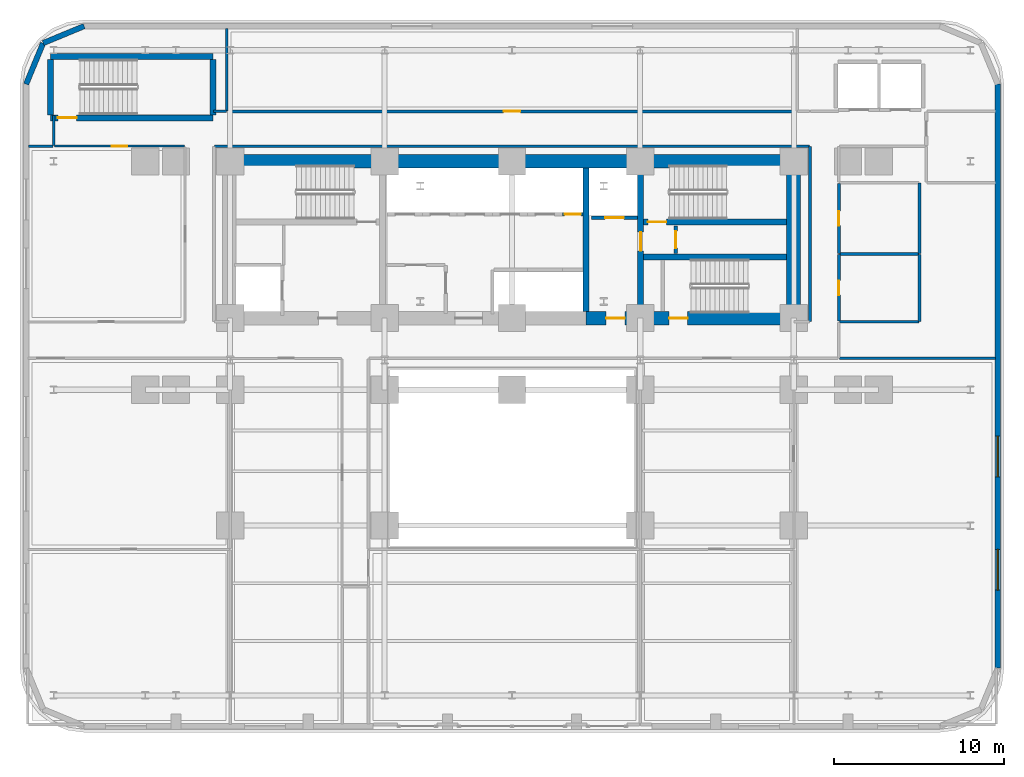
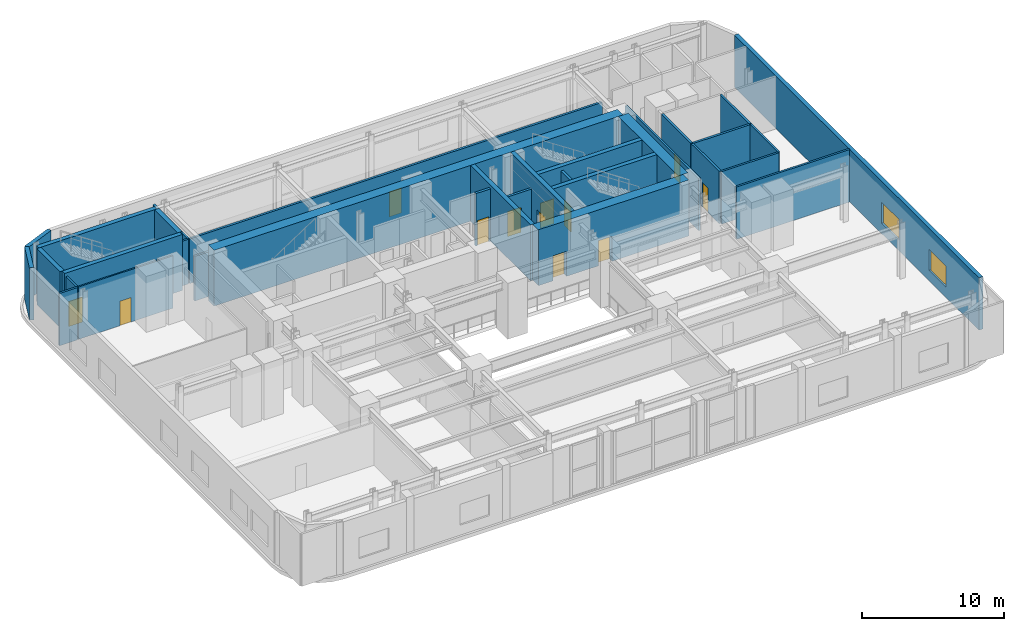
# One storey, part 8 of 16: 32 walls, 12 doors, 2 windows, 14 openings.
"""IFC4 building model written with IfcOpenShell, lengths in metres."""

from ifc_helpers import new_model, si_unit, direction, frame, frame_2d, origin, place, context, subcontext, project, spatial, rectangle, extrude, material, layer, layer_set, type_object, element, fill, save


model = new_model("IFC4")

# Units and contexts
model_context = context("Model", 3, precision=1e-05, world=origin(), true_north=direction((0.0, 1.0)))
body_context = subcontext(model_context, "Body", "Model", "MODEL_VIEW")
ifc_project = project(units=[si_unit("LENGTHUNIT", "METRE"), si_unit("AREAUNIT", "SQUARE_METRE"), si_unit("VOLUMEUNIT", "CUBIC_METRE"), si_unit("PLANEANGLEUNIT", "RADIAN"), si_unit("MASSUNIT", "GRAM", prefix="KILO")], contexts=[model_context])

# Site, building, storey
site_placement = place(None, origin())
site = spatial("IfcSite", under=ifc_project, at=site_placement, CompositionType="ELEMENT")
building_placement = place(site_placement, origin())
building = spatial("IfcBuilding", under=site, at=building_placement, Name="Zarnavel Station Tower", CompositionType="ELEMENT")
storey_placement = place(building_placement, frame((0.0, 0.0, 19.39990234375)))
storey = spatial("IfcBuildingStorey", under=building, at=storey_placement, Name="L05", CompositionType="ELEMENT", Elevation=19.39990234375)

# Wall
ifc_material_1 = material(Name="Concrete C50/60", Category="concrete")
ifc_layer_1 = layer(ifc_material_1, 0.35009765625)
ifc_layer_set_1 = layer_set([ifc_layer_1], Name="CW_350")
wall_type_1 = type_object("IfcWallType", Name="CW_350", PredefinedType="SHEAR", material=ifc_layer_set_1)
wall_1_placement = place(storey_placement, frame((33.14990234375, 28.219970703125, 0.0), z_axis=(0.0, 0.0, 1.0), x_axis=(0.0, 1.0, 0.0)))
element("IfcWall", 1, at=wall_1_placement, inside=storey, type_object=wall_type_1, Name="L05 Rear Core Shear Wall DIV-E", PredefinedType="SHEAR", context=body_context, shape_type="SweptSolid", body=[
    extrude(rectangle(XDim=8.429931640625, YDim=0.35009765625, at=frame_2d((4.21484375, 0.0))), origin(), (0.0, 0.0, 1.0), 4.800048828125),
])

# Wall, opening, door
wall_2_placement = place(storey_placement, frame((36.3798828125, 28.219970703125, 0.0), z_axis=(0.0, 0.0, 1.0), x_axis=(0.0, 1.0, 0.0)))
wall_2 = element("IfcWall", 2, at=wall_2_placement, inside=storey, type_object=wall_type_1, Name="L05 Rear Core Shear Wall DIV-S2", PredefinedType="SHEAR", context=body_context, shape_type="SweptSolid", body=[
    extrude(rectangle(XDim=8.429931640625, YDim=0.35009765625, at=frame_2d((4.21484375, 0.0))), origin(), (0.0, 0.0, 1.0), 4.800048828125),
])
opening_1_placement = place(wall_2_placement, frame((3.56005859375, 0.0, 0.0)))
opening_1 = element("IfcOpeningElement", 3, at=opening_1_placement, cuts=wall_2, Name="Opening FD01", PredefinedType="OPENING", context=body_context, shape_type="SweptSolid", body=[
    extrude(rectangle(XDim=1.10009765625, YDim=2.14990234375, at=frame_2d((0.550048828125, 1.074951171875))), frame((0.0, 0.18505859375, 0.0), z_axis=(0.0, -1.0, 0.0), x_axis=(1.0, 0.0, 0.0)), (0.0, 0.0, 1.0), 0.3701171875),
])
ifc_material_2 = material(Name="Painted Galvanised Steel and Hardwood Leaf", Category="steel")
door_type_1 = type_object("IfcDoorType", Name="ID_STAIR_1100", OperationType="NOTDEFINED", PredefinedType="DOOR", material=ifc_material_2)
door_1_placement = place(opening_1_placement, origin())
door_1 = element("IfcDoor", 4, at=door_1_placement, inside=storey, type_object=door_type_1, Name="L05 East Stair Vestibule Fire Door", OperationType="SINGLE_SWING_LEFT", OverallHeight=2.14990234375, OverallWidth=1.10009765625, PredefinedType="DOOR", context=body_context, shape_type="SweptSolid", body=[
    extrude(rectangle(XDim=1.10009765625, YDim=2.14990234375, at=frame_2d((0.550048828125, 1.074951171875))), frame((0.0, 0.02490234375, 0.0), z_axis=(0.0, -1.0, 0.0), x_axis=(1.0, 0.0, 0.0)), (0.0, 0.0, 1.0), 0.050048828125),
])
fill(opening_1, door_1)

wall_3_placement = place(storey_placement, frame((44.97998046875, 33.47998046875, 0.0), z_axis=(0.0, 0.0, 1.0), x_axis=(-1.0, 0.0, 0.0)))
wall_3 = element("IfcWall", 5, at=wall_3_placement, inside=storey, type_object=wall_type_1, Name="L05 Rear Core Shear Wall DIV-H2", PredefinedType="SHEAR", context=body_context, shape_type="SweptSolid", body=[
    extrude(rectangle(XDim=8.425048828125, YDim=0.35009765625, at=frame_2d((4.21240234375, 0.0))), origin(), (0.0, 0.0, 1.0), 4.800048828125),
])
opening_2_placement = place(wall_3_placement, frame((7.080078125, 0.0, 0.0)))
opening_2 = element("IfcOpeningElement", 6, at=opening_2_placement, cuts=wall_3, Name="Opening FD01", PredefinedType="OPENING", context=body_context, shape_type="SweptSolid", body=[
    extrude(rectangle(XDim=1.10009765625, YDim=2.14990234375, at=frame_2d((0.550048828125, 1.074951171875))), frame((0.0, 0.18505859375, 0.0), z_axis=(0.0, -1.0, 0.0), x_axis=(1.0, 0.0, 0.0)), (0.0, 0.0, 1.0), 0.3701171875),
])
door_2_placement = place(opening_2_placement, origin())
door_2 = element("IfcDoor", 7, at=door_2_placement, inside=storey, type_object=door_type_1, Name="L05 Stair ST2 Lobby Fire Door", OperationType="SINGLE_SWING_RIGHT", OverallHeight=2.14990234375, OverallWidth=1.10009765625, PredefinedType="DOOR", context=body_context, shape_type="SweptSolid", body=[
    extrude(rectangle(XDim=1.10009765625, YDim=2.14990234375, at=frame_2d((0.550048828125, 1.074951171875))), frame((0.0, 0.02490234375, 0.0), z_axis=(0.0, -1.0, 0.0), x_axis=(1.0, 0.0, 0.0)), (0.0, 0.0, 1.0), 0.050048828125),
])
fill(opening_2, door_2)

# Walls
wall_4_placement = place(storey_placement, frame((36.554931640625, 31.419921875, 0.0), z_axis=(0.0, 0.0, 1.0), x_axis=(1.0, 0.0, 0.0)))
element("IfcWall", 8, at=wall_4_placement, inside=storey, type_object=wall_type_1, Name="L05 Rear Core Shear Wall DIV-H3", PredefinedType="SHEAR", context=body_context, shape_type="SweptSolid", body=[
    extrude(rectangle(XDim=8.425048828125, YDim=0.35009765625, at=frame_2d((4.21240234375, 0.0))), origin(), (0.0, 0.0, 1.0), 4.800048828125),
])
wall_5_placement = place(storey_placement, frame((1.6201171875, 43.239990234375, 0.0), z_axis=(0.0, 0.0, 1.0), x_axis=(1.0, 0.0, 0.0)))
element("IfcWall", 9, at=wall_5_placement, inside=storey, type_object=wall_type_1, Name="L05 Rear Core Shear Wall ST4-N", PredefinedType="SHEAR", context=body_context, shape_type="SweptSolid", body=[
    extrude(rectangle(XDim=9.559814453125, YDim=0.35009765625, at=frame_2d((4.77978515625, 0.0))), origin(), (0.0, 0.0, 1.0), 4.800048828125),
])

# Wall, opening, door
wall_6_placement = place(storey_placement, frame((11.179931640625, 39.6201171875, 0.0), z_axis=(0.0, 0.0, 1.0), x_axis=(-1.0, 0.0, 0.0)))
wall_6 = element("IfcWall", 10, at=wall_6_placement, inside=storey, type_object=wall_type_1, Name="L05 Rear Core Shear Wall ST4-S", PredefinedType="SHEAR", context=body_context, shape_type="SweptSolid", body=[
    extrude(rectangle(XDim=9.559814453125, YDim=0.35009765625, at=frame_2d((4.77978515625, 0.0))), origin(), (0.0, 0.0, 1.0), 4.800048828125),
])
opening_3_placement = place(wall_6_placement, frame((8.030029296875, 0.0, 0.0)))
opening_3 = element("IfcOpeningElement", 11, at=opening_3_placement, cuts=wall_6, Name="Opening FD01", PredefinedType="OPENING", context=body_context, shape_type="SweptSolid", body=[
    extrude(rectangle(XDim=1.10009765625, YDim=2.14990234375, at=frame_2d((0.550048828125, 1.074951171875))), frame((0.0, 0.18505859375, 0.0), z_axis=(0.0, -1.0, 0.0), x_axis=(1.0, 0.0, 0.0)), (0.0, 0.0, 1.0), 0.3701171875),
])
door_3_placement = place(opening_3_placement, origin())
door_3 = element("IfcDoor", 12, at=door_3_placement, inside=storey, type_object=door_type_1, Name="L05 Podium Stair ST4 Fire Door", OperationType="SINGLE_SWING_RIGHT", OverallHeight=2.14990234375, OverallWidth=1.10009765625, PredefinedType="DOOR", context=body_context, shape_type="SweptSolid", body=[
    extrude(rectangle(XDim=1.10009765625, YDim=2.14990234375, at=frame_2d((0.550048828125, 1.074951171875))), frame((0.0, 0.02490234375, 0.0), z_axis=(0.0, -1.0, 0.0), x_axis=(1.0, 0.0, 0.0)), (0.0, 0.0, 1.0), 0.050048828125),
])
fill(opening_3, door_3)

# Walls
for number, where, z_axis, x_axis, name in (
    (13, (1.6201171875, 39.794921875, 0.0), (0.0, 0.0, 1.0), (0.0, 1.0, 0.0), "L05 Rear Core Shear Wall ST4-W"),
    (14, (11.179931640625, 39.794921875, 0.0), (0.0, 0.0, 1.0), (0.0, 1.0, 0.0), "L05 Rear Core Shear Wall ST4-E"),
):
    element("IfcWall", number, at=place(storey_placement, frame(where, z_axis=z_axis, x_axis=x_axis)), inside=storey, type_object=wall_type_1, Name=name, PredefinedType="SHEAR", context=body_context, shape_type="SweptSolid", body=[
        extrude(rectangle(XDim=3.27001953125, YDim=0.35009765625, at=frame_2d((1.635009765625, 0.0))), origin(), (0.0, 0.0, 1.0), 4.800048828125),
    ])
ifc_material_3 = material(Name="Concrete C60/75", Category="concrete")
ifc_layer_2 = layer(ifc_material_3, 0.800048828125)
ifc_layer_set_2 = layer_set([ifc_layer_2], Name="CW_800")
wall_type_2 = type_object("IfcWallType", Name="CW_800", PredefinedType="SHEAR", material=ifc_layer_set_2)
wall_7_placement = place(storey_placement, frame((12.14990234375, 37.050048828125, 0.0), z_axis=(0.0, 0.0, 1.0), x_axis=(1.0, 0.0, 0.0)))
element("IfcWall", 15, at=wall_7_placement, inside=storey, type_object=wall_type_2, Name="L05 Rear Core Shear Wall N", PredefinedType="SHEAR", context=body_context, shape_type="SweptSolid", body=[
    extrude(rectangle(XDim=33.22998046875, YDim=0.800048828125, at=frame_2d((16.614990234375, 0.0))), origin(), (0.0, 0.0, 1.0), 4.800048828125),
])

# Wall, openings, doors
wall_8_placement = place(storey_placement, frame((45.3798828125, 27.820068359375, 0.0), z_axis=(0.0, 0.0, 1.0), x_axis=(-1.0, 0.0, 0.0)))
wall_8 = element("IfcWall", 16, at=wall_8_placement, inside=storey, type_object=wall_type_2, Name="L05 Rear Core Shear Wall S-E", PredefinedType="SHEAR", context=body_context, shape_type="SweptSolid", body=[
    extrude(rectangle(XDim=12.22998046875, YDim=0.800048828125, at=frame_2d((6.114990234375, 0.0))), origin(), (0.0, 0.0, 1.0), 4.800048828125),
])
opening_4_placement = place(wall_8_placement, frame((9.929931640625, 0.0, 0.0)))
opening_4 = element("IfcOpeningElement", 17, at=opening_4_placement, cuts=wall_8, Name="Opening FD01", PredefinedType="OPENING", context=body_context, shape_type="SweptSolid", body=[
    extrude(rectangle(XDim=1.10009765625, YDim=2.14990234375, at=frame_2d((0.550048828125, 1.074951171875))), frame((0.0, 0.409912109375, 0.0), z_axis=(0.0, -1.0, 0.0), x_axis=(1.0, 0.0, 0.0)), (0.0, 0.0, 1.0), 0.820068359375),
])
opening_5_placement = place(wall_8_placement, frame((6.22998046875, 0.0, 0.0)))
opening_5 = element("IfcOpeningElement", 18, at=opening_5_placement, cuts=wall_8, Name="Opening FD01", PredefinedType="OPENING", context=body_context, shape_type="SweptSolid", body=[
    extrude(rectangle(XDim=1.10009765625, YDim=2.14990234375, at=frame_2d((0.550048828125, 1.074951171875))), frame((0.0, 0.409912109375, 0.0), z_axis=(0.0, -1.0, 0.0), x_axis=(1.0, 0.0, 0.0)), (0.0, 0.0, 1.0), 0.820068359375),
])
door_4_placement = place(opening_4_placement, origin())
door_4 = element("IfcDoor", 19, at=door_4_placement, inside=storey, type_object=door_type_1, Name="L05 East Firefighting Lobby Door", OperationType="SINGLE_SWING_LEFT", OverallHeight=2.14990234375, OverallWidth=1.10009765625, PredefinedType="DOOR", context=body_context, shape_type="SweptSolid", body=[
    extrude(rectangle(XDim=1.10009765625, YDim=2.14990234375, at=frame_2d((0.550048828125, 1.074951171875))), frame((0.0, 0.02490234375, 0.0), z_axis=(0.0, -1.0, 0.0), x_axis=(1.0, 0.0, 0.0)), (0.0, 0.0, 1.0), 0.050048828125),
])
fill(opening_4, door_4)
door_5_placement = place(opening_5_placement, origin())
door_5 = element("IfcDoor", 20, at=door_5_placement, inside=storey, type_object=door_type_1, Name="L05 Stair ST3 Corridor Fire Door", OperationType="SINGLE_SWING_RIGHT", OverallHeight=2.14990234375, OverallWidth=1.10009765625, PredefinedType="DOOR", context=body_context, shape_type="SweptSolid", body=[
    extrude(rectangle(XDim=1.10009765625, YDim=2.14990234375, at=frame_2d((0.550048828125, 1.074951171875))), frame((0.0, 0.02490234375, 0.0), z_axis=(0.0, -1.0, 0.0), x_axis=(1.0, 0.0, 0.0)), (0.0, 0.0, 1.0), 0.050048828125),
])
fill(opening_5, door_5)

# Wall
wall_9_placement = place(storey_placement, frame((45.3798828125, 28.219970703125, 0.0), z_axis=(0.0, 0.0, 1.0), x_axis=(0.0, 1.0, 0.0)))
element("IfcWall", 21, at=wall_9_placement, inside=storey, type_object=wall_type_2, Name="L05 Rear Core Shear Wall E", PredefinedType="SHEAR", context=body_context, shape_type="SweptSolid", body=[
    extrude(rectangle(XDim=8.429931640625, YDim=0.800048828125, at=frame_2d((4.21484375, 0.0))), origin(), (0.0, 0.0, 1.0), 4.800048828125),
])

# Wall, openings, windows
ifc_material_4 = material(Name="Precast concrete C45/55 (Podium Basalt Frame)", Category="masonry")
ifc_layer_3 = layer(ifc_material_4, 0.320068359375)
ifc_layer_set_3 = layer_set([ifc_layer_3], Name="EW_BASALT_320")
wall_type_3 = type_object("IfcWallType", Name="EW_BASALT_320", PredefinedType="SOLIDWALL", material=ifc_layer_set_3)
wall_10_placement = place(storey_placement, frame((57.419921875, 41.60009765625, 0.0), z_axis=(0.0, 0.0, 1.0), x_axis=(0.0, -1.0, 0.0)))
wall_10 = element("IfcWall", 22, at=wall_10_placement, inside=storey, type_object=wall_type_3, Name="L05 Exterior Basalt Masonry Frame Wall 03", PredefinedType="SOLIDWALL", context=body_context, shape_type="SweptSolid", body=[
    extrude(rectangle(XDim=34.400146484375, YDim=0.320068359375, at=frame_2d((17.2001953125, 0.0))), origin(), (0.0, 0.0, 1.0), 4.5),
])
opening_6_placement = place(wall_10_placement, frame((20.726806640625, 0.0, 0.89990234375)))
opening_6 = element("IfcOpeningElement", 23, at=opening_6_placement, cuts=wall_10, Name="Opening WN03", PredefinedType="OPENING", context=body_context, shape_type="SweptSolid", body=[
    extrude(rectangle(XDim=2.39990234375, YDim=1.800048828125, at=frame_2d((1.199951171875, 0.89990234375))), frame((0.0, 0.169921875, 0.0), z_axis=(0.0, -1.0, 0.0), x_axis=(1.0, 0.0, 0.0)), (0.0, 0.0, 1.0), 0.340087890625),
])
opening_7_placement = place(wall_10_placement, frame((27.4033203125, 0.0, 0.89990234375)))
opening_7 = element("IfcOpeningElement", 24, at=opening_7_placement, cuts=wall_10, Name="Opening WN03", PredefinedType="OPENING", context=body_context, shape_type="SweptSolid", body=[
    extrude(rectangle(XDim=2.39990234375, YDim=1.800048828125, at=frame_2d((1.199951171875, 0.89990234375))), frame((0.0, 0.169921875, 0.0), z_axis=(0.0, -1.0, 0.0), x_axis=(1.0, 0.0, 0.0)), (0.0, 0.0, 1.0), 0.340087890625),
])
ifc_material_5 = material(Name="Thermally Broken Black Aluminium and Low-E Dark Glass", Category="aluminium")
window_type = type_object("IfcWindowType", Name="WN_2400x1800", PartitioningType="TRIPLE_PANEL_VERTICAL", PredefinedType="WINDOW", material=ifc_material_5)
window_1_placement = place(opening_6_placement, origin())
window_1 = element("IfcWindow", 25, at=window_1_placement, inside=storey, type_object=window_type, Name="L05 Recessed Facade Window 01", OverallHeight=1.800048828125, OverallWidth=2.39990234375, PartitioningType="SINGLE_PANEL", PredefinedType="WINDOW", context=body_context, shape_type="SweptSolid", body=[
    extrude(rectangle(XDim=2.39990234375, YDim=1.800048828125, at=frame_2d((1.199951171875, 0.89990234375))), frame((0.0, 0.030029296875, 0.0), z_axis=(0.0, -1.0, 0.0), x_axis=(1.0, 0.0, 0.0)), (0.0, 0.0, 1.0), 0.06005859375),
])
fill(opening_6, window_1)
window_2_placement = place(opening_7_placement, origin())
window_2 = element("IfcWindow", 26, at=window_2_placement, inside=storey, type_object=window_type, Name="L05 Recessed Facade Window 02", OverallHeight=1.800048828125, OverallWidth=2.39990234375, PartitioningType="SINGLE_PANEL", PredefinedType="WINDOW", context=body_context, shape_type="SweptSolid", body=[
    extrude(rectangle(XDim=2.39990234375, YDim=1.800048828125, at=frame_2d((1.199951171875, 0.89990234375))), frame((0.0, 0.030029296875, 0.0), z_axis=(0.0, -1.0, 0.0), x_axis=(1.0, 0.0, 0.0)), (0.0, 0.0, 1.0), 0.06005859375),
])
fill(opening_7, window_2)

# Walls
wall_11_placement = place(storey_placement, frame((1.181640625, 44.018310546875, 0.0), z_axis=(0.0, 0.0, 1.0), x_axis=(0.923886112352, 0.382667546838, 0.0)))
element("IfcWall", 27, at=wall_11_placement, inside=storey, type_object=wall_type_3, Name="L05 Exterior Basalt Masonry Frame Wall 07", PredefinedType="SOLIDWALL", context=body_context, shape_type="SweptSolid", body=[
    extrude(rectangle(XDim=2.61767578125, YDim=0.320068359375, at=frame_2d((1.308837890625, 0.0))), origin(), (0.0, 0.0, 1.0), 4.5),
])
wall_12_placement = place(storey_placement, frame((0.179931640625, 41.60009765625, 0.0), z_axis=(0.0, 0.0, 1.0), x_axis=(0.382700522567, 0.923872453333, 0.0)))
element("IfcWall", 28, at=wall_12_placement, inside=storey, type_object=wall_type_3, Name="L05 Exterior Basalt Masonry Frame Wall 08", PredefinedType="SOLIDWALL", context=body_context, shape_type="SweptSolid", body=[
    extrude(rectangle(XDim=2.617431640625, YDim=0.320068359375, at=frame_2d((1.30859375, 0.0))), origin(), (0.0, 0.0, 1.0), 4.5),
])
ifc_material_6 = material(Name="Gypsum Twin-Stud Acoustic Fire Partition", Category="concrete")
ifc_layer_4 = layer(ifc_material_6, 0.159912109375)
ifc_layer_set_4 = layer_set([ifc_layer_4], Name="PT_DEMISE_160")
wall_type_4 = type_object("IfcWallType", Name="PT_DEMISE_160", PredefinedType="PARTITIONING", material=ifc_layer_set_4)
wall_13_placement = place(storey_placement, frame((46.35009765625, 27.6298828125, 0.0), z_axis=(0.0, 0.0, 1.0), x_axis=(0.0, 1.0, 0.0)))
element("IfcWall", 29, at=wall_13_placement, inside=storey, type_object=wall_type_4, Name="L05 Enclosure Wall PCOR-E", PredefinedType="PARTITIONING", context=body_context, shape_type="SweptSolid", body=[
    extrude(rectangle(XDim=10.2900390625, YDim=0.159912109375, at=frame_2d((5.14501953125, 0.0))), origin(), (0.0, 0.0, 1.0), 4.5),
])
wall_14_placement = place(storey_placement, frame((11.280029296875, 37.949951171875, 0.0), z_axis=(0.0, 0.0, 1.0), x_axis=(1.0, 0.0, 0.0)))
element("IfcWall", 30, at=wall_14_placement, inside=storey, type_object=wall_type_4, Name="L05 Enclosure Wall PCOR-N", PredefinedType="PARTITIONING", context=body_context, shape_type="SweptSolid", body=[
    extrude(rectangle(XDim=35.0400390625, YDim=0.159912109375, at=frame_2d((17.52001953125, 0.0))), origin(), (0.0, 0.0, 1.0), 3.830078125),
])
wall_15_placement = place(storey_placement, frame((11.2099609375, 40.0, 0.0), z_axis=(0.0, 0.0, 1.0), x_axis=(1.0, 0.0, 0.0)))
element("IfcWall", 31, at=wall_15_placement, inside=storey, type_object=wall_type_4, Name="L05 Enclosure Wall PCOR-N", PredefinedType="PARTITIONING", context=body_context, shape_type="SweptSolid", body=[
    extrude(rectangle(XDim=0.760009765625, YDim=0.159912109375, at=frame_2d((0.3798828125, 0.0))), origin(), (0.0, 0.0, 1.0), 3.830078125),
])
wall_16_placement = place(storey_placement, frame((1.800048828125, 37.97998046875, 0.0), z_axis=(0.0, 0.0, 1.0), x_axis=(0.0, 1.0, 0.0)))
element("IfcWall", 32, at=wall_16_placement, inside=storey, type_object=wall_type_4, Name="L05 Enclosure Wall PCOR-N", PredefinedType="PARTITIONING", context=body_context, shape_type="SweptSolid", body=[
    extrude(rectangle(XDim=1.784912109375, YDim=0.159912109375, at=frame_2d((0.892578125, 0.0))), origin(), (0.0, 0.0, 1.0), 4.5),
])
wall_17_placement = place(storey_placement, frame((0.31005859375, 37.949951171875, 0.0), z_axis=(0.0, 0.0, 1.0), x_axis=(1.0, 0.0, 0.0)))
element("IfcWall", 33, at=wall_17_placement, inside=storey, type_object=wall_type_4, Name="L05 Enclosure Wall PNW", PredefinedType="PARTITIONING", context=body_context, shape_type="SweptSolid", body=[
    extrude(rectangle(XDim=1.4599609375, YDim=0.159912109375, at=frame_2d((0.72998046875, 0.0))), origin(), (0.0, 0.0, 1.0), 4.5),
])
wall_18_placement = place(storey_placement, frame((48.080078125, 27.60009765625, 0.0), z_axis=(0.0, 0.0, 1.0), x_axis=(1.0, 0.0, 0.0)))
element("IfcWall", 34, at=wall_18_placement, inside=storey, type_object=wall_type_4, Name="L05 Enclosure Wall PWC-M", PredefinedType="PARTITIONING", context=body_context, shape_type="SweptSolid", body=[
    extrude(rectangle(XDim=4.68994140625, YDim=0.159912109375, at=frame_2d((2.344970703125, 0.0))), origin(), (0.0, 0.0, 1.0), 4.5),
])
wall_19_placement = place(storey_placement, frame((52.800048828125, 27.6298828125, 0.0), z_axis=(0.0, 0.0, 1.0), x_axis=(0.0, 1.0, 0.0)))
element("IfcWall", 35, at=wall_19_placement, inside=storey, type_object=wall_type_4, Name="L05 Enclosure Wall PWC-M", PredefinedType="PARTITIONING", context=body_context, shape_type="SweptSolid", body=[
    extrude(rectangle(XDim=3.940185546875, YDim=0.159912109375, at=frame_2d((1.97021484375, 0.0))), origin(), (0.0, 0.0, 1.0), 4.5),
])
wall_20_placement = place(storey_placement, frame((52.800048828125, 31.6298828125, 0.0), z_axis=(0.0, 0.0, 1.0), x_axis=(0.0, 1.0, 0.0)))
element("IfcWall", 36, at=wall_20_placement, inside=storey, type_object=wall_type_4, Name="L05 Enclosure Wall PWC-F", PredefinedType="PARTITIONING", context=body_context, shape_type="SweptSolid", body=[
    extrude(rectangle(XDim=4.14013671875, YDim=0.159912109375, at=frame_2d((2.070068359375, 0.0))), origin(), (0.0, 0.0, 1.0), 4.5),
])
wall_21_placement = place(storey_placement, frame((48.080078125, 25.449951171875, 0.0), z_axis=(0.0, 0.0, 1.0), x_axis=(1.0, 0.0, 0.0)))
element("IfcWall", 37, at=wall_21_placement, inside=storey, type_object=wall_type_4, Name="L05 Enclosure Wall CONF3", PredefinedType="PARTITIONING", context=body_context, shape_type="SweptSolid", body=[
    extrude(rectangle(XDim=9.2099609375, YDim=0.159912109375, at=frame_2d((4.60498046875, 0.0))), origin(), (0.0, 0.0, 1.0), 4.5),
])
wall_22_placement = place(storey_placement, frame((12.0, 40.030029296875, 0.0), z_axis=(0.0, 0.0, 1.0), x_axis=(0.0, 1.0, 0.0)))
element("IfcWall", 38, at=wall_22_placement, inside=storey, type_object=wall_type_4, Name="L05 Enclosure Wall BQK", PredefinedType="PARTITIONING", context=body_context, shape_type="SweptSolid", body=[
    extrude(rectangle(XDim=4.85986328125, YDim=0.159912109375, at=frame_2d((2.429931640625, 0.0))), origin(), (0.0, 0.0, 1.0), 3.830078125),
])

# Wall, opening, door
ifc_material_7 = material(Name="Gypsum Metal-Stud Interior Partition", Category="concrete")
ifc_layer_5 = layer(ifc_material_7, 0.1201171875)
ifc_layer_set_5 = layer_set([ifc_layer_5], Name="PT_ROOM_120")
wall_type_5 = type_object("IfcWallType", Name="PT_ROOM_120", PredefinedType="PARTITIONING", material=ifc_layer_set_5)
wall_23_placement = place(storey_placement, frame((1.840087890625, 37.949951171875, 0.0), z_axis=(0.0, 0.0, 1.0), x_axis=(1.0, 0.0, 0.0)))
wall_23 = element("IfcWall", 39, at=wall_23_placement, inside=storey, type_object=wall_type_5, Name="L05 Partition PCOR-N-PNW", PredefinedType="PARTITIONING", context=body_context, shape_type="SweptSolid", body=[
    extrude(rectangle(XDim=7.669921875, YDim=0.1201171875, at=frame_2d((3.8349609375, 0.0))), origin(), (0.0, 0.0, 1.0), 4.5),
])
opening_8_placement = place(wall_23_placement, frame((3.385009765625, 0.0, 0.0)))
opening_8 = element("IfcOpeningElement", 40, at=opening_8_placement, cuts=wall_23, Name="Opening ID01", PredefinedType="OPENING", context=body_context, shape_type="SweptSolid", body=[
    extrude(rectangle(XDim=0.89990234375, YDim=2.10009765625, at=frame_2d((0.449951171875, 1.050048828125))), frame((0.0, 0.070068359375, 0.0), z_axis=(0.0, -1.0, 0.0), x_axis=(1.0, 0.0, 0.0)), (0.0, 0.0, 1.0), 0.14013671875),
])
ifc_material_8 = material(Name="Painted Galvanised Steel and Hardwood Leaf", Category="steel")
door_type_2 = type_object("IfcDoorType", Name="ID_ROOM_900", OperationType="NOTDEFINED", PredefinedType="DOOR", material=ifc_material_8)
door_6_placement = place(opening_8_placement, origin())
door_6 = element("IfcDoor", 41, at=door_6_placement, inside=storey, type_object=door_type_2, Name="L05 Door PCOR-N-PNW", OperationType="SINGLE_SWING_RIGHT", OverallHeight=2.10009765625, OverallWidth=0.89990234375, PredefinedType="DOOR", context=body_context, shape_type="SweptSolid", body=[
    extrude(rectangle(XDim=0.89990234375, YDim=2.10009765625, at=frame_2d((0.449951171875, 1.050048828125))), frame((0.0, 0.02490234375, 0.0), z_axis=(0.0, -1.0, 0.0), x_axis=(1.0, 0.0, 0.0)), (0.0, 0.0, 1.0), 0.050048828125),
])
fill(opening_8, door_6)

ifc_material_9 = material(Name="Precast concrete C45/55 (Fire Shaft Blockwork)", Category="masonry")
ifc_layer_6 = layer(ifc_material_9, 0.199951171875)
ifc_layer_set_6 = layer_set([ifc_layer_6], Name="PT_SHAFT_200")
wall_type_6 = type_object("IfcWallType", Name="PT_SHAFT_200", PredefinedType="PARTITIONING", material=ifc_layer_set_6)
wall_24_placement = place(storey_placement, frame((33.47509765625, 33.72998046875, 0.0), z_axis=(0.0, 0.0, 1.0), x_axis=(1.0, 0.0, 0.0)))
wall_24 = element("IfcWall", 42, at=wall_24_placement, inside=storey, type_object=wall_type_6, Name="L05 Lift FFL-02 Shaft Front Wall", PredefinedType="PARTITIONING", context=body_context, shape_type="SweptSolid", body=[
    extrude(rectangle(XDim=2.724853515625, YDim=0.199951171875, at=frame_2d((1.3623046875, 0.0))), origin(), (0.0, 0.0, 1.0), 3.47216796875),
])
opening_9_placement = place(wall_24_placement, frame((0.8125, 0.0, 0.0)))
opening_9 = element("IfcOpeningElement", 43, at=opening_9_placement, cuts=wall_24, Name="Opening LD01", PredefinedType="OPENING", context=body_context, shape_type="SweptSolid", body=[
    extrude(rectangle(XDim=1.10009765625, YDim=2.14990234375, at=frame_2d((0.550048828125, 1.074951171875))), frame((0.0, 0.10986328125, 0.0), z_axis=(0.0, -1.0, 0.0), x_axis=(1.0, 0.0, 0.0)), (0.0, 0.0, 1.0), 0.219970703125),
])
ifc_material_10 = material(Name="Painted Galvanised Steel and Hardwood Leaf", Category="steel")
door_type_3 = type_object("IfcDoorType", Name="LD_FF_1100", OperationType="DOUBLE_DOOR_SLIDING", PredefinedType="DOOR", material=ifc_material_10)
door_7_placement = place(opening_9_placement, origin())
door_7 = element("IfcDoor", 44, at=door_7_placement, inside=storey, type_object=door_type_3, Name="L05 Lift FFL-02 Sliding Landing Door", OperationType="DOUBLE_DOOR_SLIDING", OverallHeight=2.14990234375, OverallWidth=1.10009765625, PredefinedType="DOOR", context=body_context, shape_type="SweptSolid", body=[
    extrude(rectangle(XDim=1.10009765625, YDim=2.14990234375, at=frame_2d((0.550048828125, 1.074951171875))), frame((0.0, 0.02490234375, 0.0), z_axis=(0.0, -1.0, 0.0), x_axis=(1.0, 0.0, 0.0)), (0.0, 0.0, 1.0), 0.050048828125),
])
fill(opening_9, door_7)

wall_25_placement = place(storey_placement, frame((31.77490234375, 33.929931640625, 0.0), z_axis=(0.0, 0.0, 1.0), x_axis=(1.0, 0.0, 0.0)))
wall_25 = element("IfcWall", 45, at=wall_25_placement, inside=storey, type_object=wall_type_6, Name="L05 Lift PL-M3 Shaft Front Wall", PredefinedType="PARTITIONING", context=body_context, shape_type="SweptSolid", body=[
    extrude(rectangle(XDim=1.2001953125, YDim=0.199951171875, at=frame_2d((0.60009765625, 0.0))), origin(), (0.0, 0.0, 1.0), 4.5),
])
opening_10_placement = place(wall_25_placement, frame((0.125, 0.0, 0.0)))
opening_10 = element("IfcOpeningElement", 46, at=opening_10_placement, cuts=wall_25, Name="Opening LD03", PredefinedType="OPENING", context=body_context, shape_type="SweptSolid", body=[
    extrude(rectangle(XDim=0.949951171875, YDim=2.14990234375, at=frame_2d((0.47509765625, 1.074951171875))), frame((0.0, 0.10986328125, 0.0), z_axis=(0.0, -1.0, 0.0), x_axis=(1.0, 0.0, 0.0)), (0.0, 0.0, 1.0), 0.219970703125),
])
ifc_material_11 = material(Name="Painted Galvanised Steel and Hardwood Leaf", Category="steel")
door_type_4 = type_object("IfcDoorType", Name="LD_PAX_0950", OperationType="DOUBLE_DOOR_SLIDING", PredefinedType="DOOR", material=ifc_material_11)
door_8_placement = place(opening_10_placement, origin())
door_8 = element("IfcDoor", 47, at=door_8_placement, inside=storey, type_object=door_type_4, Name="L05 Lift PL-M3 Sliding Landing Door", OperationType="DOUBLE_DOOR_SLIDING", OverallHeight=2.14990234375, OverallWidth=0.949951171875, PredefinedType="DOOR", context=body_context, shape_type="SweptSolid", body=[
    extrude(rectangle(XDim=0.949951171875, YDim=2.14990234375, at=frame_2d((0.47509765625, 1.074951171875))), frame((0.0, 0.02490234375, 0.0), z_axis=(0.0, -1.0, 0.0), x_axis=(1.0, 0.0, 0.0)), (0.0, 0.0, 1.0), 0.050048828125),
])
fill(opening_10, door_8)

wall_26_placement = place(storey_placement, frame((38.449951171875, 31.639892578125, 0.0), z_axis=(0.0, 0.0, 1.0), x_axis=(0.0, 1.0, 0.0)))
wall_26 = element("IfcWall", 48, at=wall_26_placement, inside=storey, type_object=wall_type_6, Name="L05 Partition ESTV-CEA", PredefinedType="PARTITIONING", context=body_context, shape_type="SweptSolid", body=[
    extrude(rectangle(XDim=1.6201171875, YDim=0.199951171875, at=frame_2d((0.81005859375, 0.0))), origin(), (0.0, 0.0, 1.0), 4.5),
])
opening_11_placement = place(wall_26_placement, frame((0.31005859375, 0.0, 0.0)))
opening_11 = element("IfcOpeningElement", 49, at=opening_11_placement, cuts=wall_26, Name="Opening FD02", PredefinedType="OPENING", context=body_context, shape_type="SweptSolid", body=[
    extrude(rectangle(XDim=1.0, YDim=2.14990234375, at=frame_2d((0.5, 1.074951171875))), frame((0.0, 0.10986328125, 0.0), z_axis=(0.0, -1.0, 0.0), x_axis=(1.0, 0.0, 0.0)), (0.0, 0.0, 1.0), 0.219970703125),
])
ifc_material_12 = material(Name="Painted Galvanised Steel and Hardwood Leaf", Category="steel")
door_type_5 = type_object("IfcDoorType", Name="ID_ENTRY_1000", OperationType="NOTDEFINED", PredefinedType="DOOR", material=ifc_material_12)
door_9_placement = place(opening_11_placement, origin())
door_9 = element("IfcDoor", 50, at=door_9_placement, inside=storey, type_object=door_type_5, Name="L05 Door ESTV-CEA", OperationType="SINGLE_SWING_RIGHT", OverallHeight=2.14990234375, OverallWidth=1.0, PredefinedType="DOOR", context=body_context, shape_type="SweptSolid", body=[
    extrude(rectangle(XDim=1.0, YDim=2.14990234375, at=frame_2d((0.5, 1.074951171875))), frame((0.0, 0.02490234375, 0.0), z_axis=(0.0, -1.0, 0.0), x_axis=(1.0, 0.0, 0.0)), (0.0, 0.0, 1.0), 0.050048828125),
])
fill(opening_11, door_9)

ifc_material_13 = material(Name="Moisture-Resistant Plumbing Chase Wall", Category="concrete")
ifc_layer_7 = layer(ifc_material_13, 0.179931640625)
ifc_layer_set_7 = layer_set([ifc_layer_7], Name="PW_PLUMB_180")
wall_type_7 = type_object("IfcWallType", Name="PW_PLUMB_180", PredefinedType="PLUMBINGWALL", material=ifc_layer_set_7)
wall_27_placement = place(storey_placement, frame((48.050048828125, 27.639892578125, 0.0), z_axis=(0.0, 0.0, 1.0), x_axis=(0.0, 1.0, 0.0)))
wall_27 = element("IfcWall", 51, at=wall_27_placement, inside=storey, type_object=wall_type_7, Name="L05 Partition PCOR-E-PWC-M", PredefinedType="PLUMBINGWALL", context=body_context, shape_type="SweptSolid", body=[
    extrude(rectangle(XDim=3.920166015625, YDim=0.179931640625, at=frame_2d((1.9599609375, 0.0))), origin(), (0.0, 0.0, 1.0), 4.5),
])
opening_12_placement = place(wall_27_placement, frame((1.534912109375, 0.0, 0.0)))
opening_12 = element("IfcOpeningElement", 52, at=opening_12_placement, cuts=wall_27, Name="Opening ID02", PredefinedType="OPENING", context=body_context, shape_type="SweptSolid", body=[
    extrude(rectangle(XDim=0.85009765625, YDim=2.10009765625, at=frame_2d((0.425048828125, 1.050048828125))), frame((0.0, 0.099853515625, 0.0), z_axis=(0.0, -1.0, 0.0), x_axis=(1.0, 0.0, 0.0)), (0.0, 0.0, 1.0), 0.199951171875),
])
ifc_material_14 = material(Name="Painted Galvanised Steel and Hardwood Leaf", Category="steel")
door_type_6 = type_object("IfcDoorType", Name="ID_BATH_850", OperationType="NOTDEFINED", PredefinedType="DOOR", material=ifc_material_14)
door_10_placement = place(opening_12_placement, origin())
door_10 = element("IfcDoor", 53, at=door_10_placement, inside=storey, type_object=door_type_6, Name="L05 Door PCOR-E-PWC-M", OperationType="SINGLE_SWING_RIGHT", OverallHeight=2.10009765625, OverallWidth=0.85009765625, PredefinedType="DOOR", context=body_context, shape_type="SweptSolid", body=[
    extrude(rectangle(XDim=0.85009765625, YDim=2.10009765625, at=frame_2d((0.425048828125, 1.050048828125))), frame((0.0, 0.02490234375, 0.0), z_axis=(0.0, -1.0, 0.0), x_axis=(1.0, 0.0, 0.0)), (0.0, 0.0, 1.0), 0.050048828125),
])
fill(opening_12, door_10)

wall_28_placement = place(storey_placement, frame((48.050048828125, 31.639892578125, 0.0), z_axis=(0.0, 0.0, 1.0), x_axis=(0.0, 1.0, 0.0)))
wall_28 = element("IfcWall", 54, at=wall_28_placement, inside=storey, type_object=wall_type_7, Name="L05 Partition PCOR-E-PWC-F", PredefinedType="PLUMBINGWALL", context=body_context, shape_type="SweptSolid", body=[
    extrude(rectangle(XDim=4.1201171875, YDim=0.179931640625, at=frame_2d((2.06005859375, 0.0))), origin(), (0.0, 0.0, 1.0), 4.5),
])
opening_13_placement = place(wall_28_placement, frame((1.635009765625, 0.0, 0.0)))
opening_13 = element("IfcOpeningElement", 55, at=opening_13_placement, cuts=wall_28, Name="Opening ID02", PredefinedType="OPENING", context=body_context, shape_type="SweptSolid", body=[
    extrude(rectangle(XDim=0.85009765625, YDim=2.10009765625, at=frame_2d((0.425048828125, 1.050048828125))), frame((0.0, 0.099853515625, 0.0), z_axis=(0.0, -1.0, 0.0), x_axis=(1.0, 0.0, 0.0)), (0.0, 0.0, 1.0), 0.199951171875),
])
door_11_placement = place(opening_13_placement, origin())
door_11 = element("IfcDoor", 56, at=door_11_placement, inside=storey, type_object=door_type_6, Name="L05 Door PCOR-E-PWC-F", OperationType="SINGLE_SWING_LEFT", OverallHeight=2.10009765625, OverallWidth=0.85009765625, PredefinedType="DOOR", context=body_context, shape_type="SweptSolid", body=[
    extrude(rectangle(XDim=0.85009765625, YDim=2.10009765625, at=frame_2d((0.425048828125, 1.050048828125))), frame((0.0, 0.02490234375, 0.0), z_axis=(0.0, -1.0, 0.0), x_axis=(1.0, 0.0, 0.0)), (0.0, 0.0, 1.0), 0.050048828125),
])
fill(opening_13, door_11)

wall_29_placement = place(storey_placement, frame((12.0400390625, 40.0, 0.0), z_axis=(0.0, 0.0, 1.0), x_axis=(1.0, 0.0, 0.0)))
wall_29 = element("IfcWall", 57, at=wall_29_placement, inside=storey, type_object=wall_type_7, Name="L05 Partition PCOR-N-BQK", PredefinedType="PLUMBINGWALL", context=body_context, shape_type="SweptSolid", body=[
    extrude(rectangle(XDim=33.52001953125, YDim=0.179931640625, at=frame_2d((16.760009765625, 0.0))), origin(), (0.0, 0.0, 1.0), 3.830078125),
])
opening_14_placement = place(wall_29_placement, frame((16.260009765625, 0.0, 0.0)))
opening_14 = element("IfcOpeningElement", 58, at=opening_14_placement, cuts=wall_29, Name="Opening FD02", PredefinedType="OPENING", context=body_context, shape_type="SweptSolid", body=[
    extrude(rectangle(XDim=1.0, YDim=2.14990234375, at=frame_2d((0.5, 1.074951171875))), frame((0.0, 0.099853515625, 0.0), z_axis=(0.0, -1.0, 0.0), x_axis=(1.0, 0.0, 0.0)), (0.0, 0.0, 1.0), 0.199951171875),
])
door_12_placement = place(opening_14_placement, origin())
door_12 = element("IfcDoor", 59, at=door_12_placement, inside=storey, type_object=door_type_5, Name="L05 Door PCOR-N-BQK", OperationType="SINGLE_SWING_LEFT", OverallHeight=2.14990234375, OverallWidth=1.0, PredefinedType="DOOR", context=body_context, shape_type="SweptSolid", body=[
    extrude(rectangle(XDim=1.0, YDim=2.14990234375, at=frame_2d((0.5, 1.074951171875))), frame((0.0, 0.02490234375, 0.0), z_axis=(0.0, -1.0, 0.0), x_axis=(1.0, 0.0, 0.0)), (0.0, 0.0, 1.0), 0.050048828125),
])
fill(opening_14, door_12)

# Wall
wall_30_placement = place(storey_placement, frame((48.090087890625, 31.60009765625, 0.0), z_axis=(0.0, 0.0, 1.0), x_axis=(1.0, 0.0, 0.0)))
element("IfcWall", 60, at=wall_30_placement, inside=storey, type_object=wall_type_7, Name="L05 Partition PWC-M-PWC-F", PredefinedType="PLUMBINGWALL", context=body_context, shape_type="SweptSolid", body=[
    extrude(rectangle(XDim=4.669921875, YDim=0.179931640625, at=frame_2d((2.3349609375, 0.0))), origin(), (0.0, 0.0, 1.0), 4.5),
])

save(model, "model.ifc")
